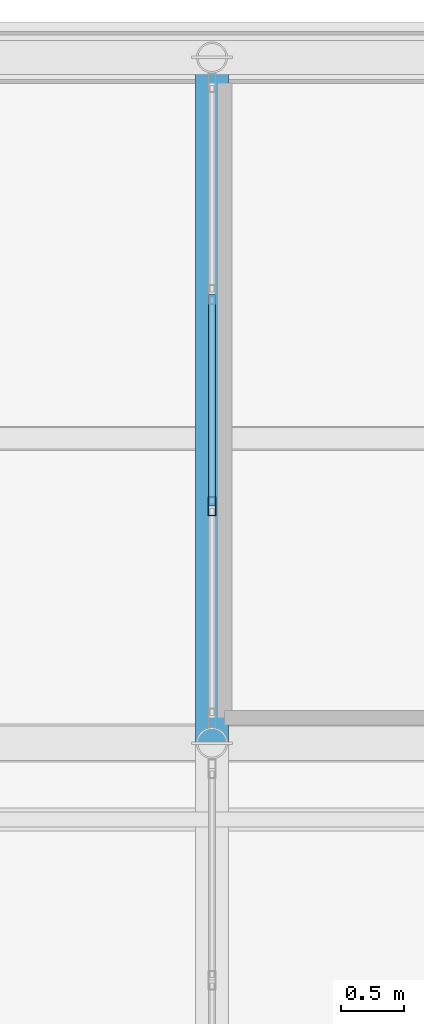
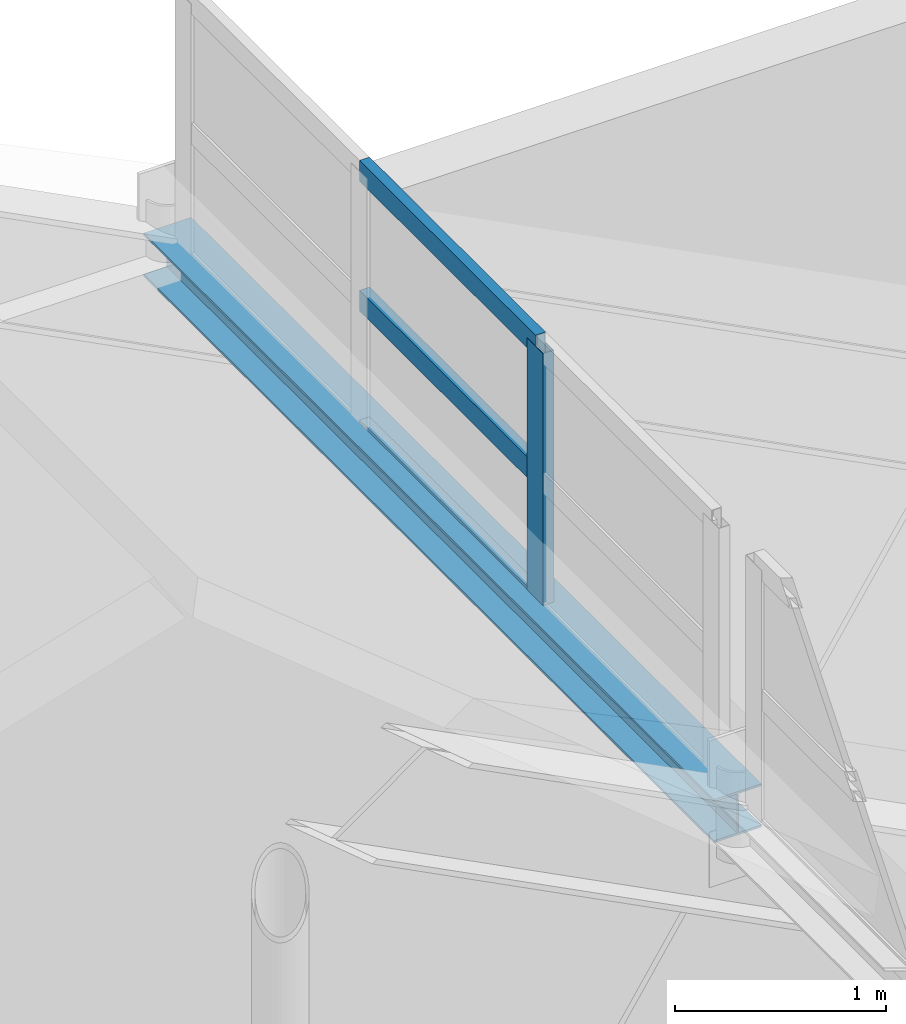
# One storey, part 61 of 84: 4 members, 1 beam, 1 element without a shape of its own.
"""IFC4 building model written with IfcOpenShell, lengths in metres."""

import ifcopenshell
import ifcopenshell.guid

model = None  # the IFC model being written
_history = None  # IfcOwnerHistory: only IFC2X3 demands one
_inside = {}  # id of a spatial element -> (the spatial element, [elements in it])
_under = {}  # id of a project, library or spatial element -> (it, [spatial elements below it])
_declared = {}  # id of a project -> (the project, [libraries it declares])
_typed = {}  # id of a type object -> (the type object, [elements of that type])
_made_of = {}  # id of a material, layer set ... -> (it, [elements and type objects made of it])


def new_model(schema):
    """Start an empty IFC model of exactly this schema.

    Asked for "IFC4X3", IfcOpenShell would pick the latest addendum, in which some entities
    have other attributes; the version numbers below select the first issue.
    IFC2X3 requires an IfcOwnerHistory on every rooted entity: one is made here for all.
    """
    global model, _history
    if schema == "IFC4X3":
        model = ifcopenshell.file(schema_version=(4, 3, 0, 0))
    else:
        model = ifcopenshell.file(schema=schema)
    _inside.clear()
    _under.clear()
    _declared.clear()
    _typed.clear()
    _made_of.clear()
    _history = None
    if model.schema == "IFC2X3":
        org = make("IfcOrganization", Name="unknown")
        user = make(
            "IfcPersonAndOrganization",
            ThePerson=make("IfcPerson", FamilyName="unknown"),
            TheOrganization=org,
        )
        app = make(
            "IfcApplication",
            ApplicationDeveloper=org,
            Version="unknown",
            ApplicationFullName="unknown",
            ApplicationIdentifier="unknown",
        )
        _history = make(
            "IfcOwnerHistory",
            OwningUser=user,
            OwningApplication=app,
            ChangeAction="ADDED",
            CreationDate=0,
        )
    return model


def make(cls, **values):
    """One entity of the class cls with the attributes given. An attribute that is None is left unset."""
    return model.create_entity(
        cls, **{name: value for name, value in values.items() if value is not None}
    )


def rooted(cls, **values):
    """An entity with a GlobalId (a new one), such as an element, a storey or a relation."""
    return make(cls, GlobalId=ifcopenshell.guid.new(), OwnerHistory=_history, **values)


def si_unit(unit_type, name, prefix=None):
    """IfcSIUnit, for example si_unit("LENGTHUNIT", "METRE", prefix="MILLI")."""
    return make("IfcSIUnit", UnitType=unit_type, Prefix=prefix, Name=name)


def assignment(units):
    """IfcUnitAssignment: the units of a project."""
    return None if units is None else make("IfcUnitAssignment", Units=units)


def point(xyz):
    """IfcCartesianPoint."""
    return None if xyz is None else make("IfcCartesianPoint", Coordinates=xyz)


def direction(xyz):
    """IfcDirection."""
    return None if xyz is None else make("IfcDirection", DirectionRatios=xyz)


def frame(location, z_axis=None, x_axis=None):
    """IfcAxis2Placement3D, a coordinate frame: its origin and axes. An axis left out is left unset."""
    return make(
        "IfcAxis2Placement3D",
        Location=point(location),
        Axis=direction(z_axis),
        RefDirection=direction(x_axis),
    )


def frame_2d(location, x_axis=None):
    """IfcAxis2Placement2D, a coordinate frame in the plane: its origin and x axis."""
    return make(
        "IfcAxis2Placement2D", Location=point(location), RefDirection=direction(x_axis)
    )


def origin():
    """The frame at (0, 0, 0) with its axes left unset."""
    return frame((0.0, 0.0, 0.0))


def origin_2d():
    """The frame at (0, 0) in the plane with its x axis left unset."""
    return frame_2d((0.0, 0.0))


def place(relative_to, where):
    """IfcLocalPlacement: puts the frame where relative to a parent placement (None: the world)."""
    return make(
        "IfcLocalPlacement", PlacementRelTo=relative_to, RelativePlacement=where
    )


def context(
    kind, dimensions, precision=None, world=None, true_north=None, identifier=None
):
    """IfcGeometricRepresentationContext, for example the 3D "Model" context."""
    return make(
        "IfcGeometricRepresentationContext",
        ContextIdentifier=identifier,
        ContextType=kind,
        CoordinateSpaceDimension=dimensions,
        Precision=precision,
        WorldCoordinateSystem=world,
        TrueNorth=true_north,
    )


def subcontext(parent, identifier, kind, view, scale=None):
    """IfcGeometricRepresentationSubContext, for example "Body" below "Model"."""
    return make(
        "IfcGeometricRepresentationSubContext",
        ContextIdentifier=identifier,
        ContextType=kind,
        ParentContext=parent,
        TargetScale=scale,
        TargetView=view,
    )


def project(units=None, contexts=None):
    """IfcProject with its units and contexts."""
    return rooted(
        "IfcProject",
        Name="project",
        RepresentationContexts=contexts,
        UnitsInContext=assignment(units),
    )


def spatial(cls, under=None, at=None, **own):
    """A site, building, storey or space (cls), placed at a placement, below another one or the project."""
    s = rooted(cls, ObjectPlacement=at, **own)
    if under is not None:
        _under.setdefault(under.id(), (under, []))[1].append(s)
    return s


def profile(cls, at=None, kind="AREA", **sizes):
    """A parametric profile (cls). Its sizes go by their IFC names, for example OverallWidth=200.0."""
    return make(cls, ProfileType=kind, Position=at, **sizes)


def hollow_rectangle(**sizes):
    """IfcRectangleHollowProfileDef."""
    return profile("IfcRectangleHollowProfileDef", **sizes)


def i_section(**sizes):
    """IfcIShapeProfileDef."""
    return profile("IfcIShapeProfileDef", **sizes)


def extrude(swept, where, along, depth):
    """IfcExtrudedAreaSolid: the profile swept, set in the frame where, extruded along a direction by depth."""
    return make(
        "IfcExtrudedAreaSolid",
        SweptArea=swept,
        Position=where,
        ExtrudedDirection=direction(along),
        Depth=depth,
    )


def shape(context_of_items, identifier, shape_type, items):
    """IfcShapeRepresentation: the items that make up one representation, for example the "Body"."""
    return make(
        "IfcShapeRepresentation",
        ContextOfItems=context_of_items,
        RepresentationIdentifier=identifier,
        RepresentationType=shape_type,
        Items=items,
    )


def material(Name=None, Category=None):
    """IfcMaterial."""
    return make("IfcMaterial", Name=Name, Category=Category)


def layer(
    of_material, thickness, ventilated=None, Name=None, Category=None, Priority=None
):
    """IfcMaterialLayer: one layer of a wall or slab, of a material (None: an air gap)."""
    return make(
        "IfcMaterialLayer",
        Material=of_material,
        LayerThickness=thickness,
        IsVentilated=ventilated,
        Name=Name,
        Category=Category,
        Priority=Priority,
    )


def layer_set(layers, Name=None):
    """IfcMaterialLayerSet."""
    return make("IfcMaterialLayerSet", MaterialLayers=layers, LayerSetName=Name)


def material_profile(
    of_material, cross_section, Name=None, Category=None, Priority=None
):
    """IfcMaterialProfile: a cross section and its material."""
    return make(
        "IfcMaterialProfile",
        Name=Name,
        Material=of_material,
        Profile=cross_section,
        Priority=Priority,
        Category=Category,
    )


def profile_set(profiles, Name=None, composite=None):
    """IfcMaterialProfileSet."""
    return make(
        "IfcMaterialProfileSet",
        Name=Name,
        MaterialProfiles=profiles,
        CompositeProfile=composite,
    )


def made_of(thing, what):
    """Note that an element or type object is made of a material, layer set ...; save() writes the relation."""
    if what is not None:
        _made_of.setdefault(what.id(), (what, []))[1].append(thing)
    return thing


def type_object(cls, material=None, **own):
    """A type object (cls), such as IfcWallType, which elements share."""
    return made_of(rooted(cls, **own), material)


def element(
    cls,
    number,
    at=None,
    inside=None,
    cuts=None,
    type_object=None,
    material=None,
    context=None,
    identifier="Body",
    shape_type=None,
    held_by="IfcProductDefinitionShape",
    body=None,
    shapes=None,
    **own,
):
    """One element of the class cls, such as IfcWall. Its Tag is "e" and its number.

    at: its placement. inside: the storey or other place that contains it. cuts: it is an
    opening in that element (IfcRelVoidsElement). A single representation is given by context,
    identifier, shape_type and body (its items); several are given by shapes. held_by: the class
    of the entity that holds the representations. save() writes the other relations.
    """
    e = rooted(cls, Tag="e%d" % number, ObjectPlacement=at, **own)
    if body is not None:
        shapes = [shape(context, identifier, shape_type, body)]
    if shapes is not None:
        e.Representation = make(held_by, Representations=shapes)
    if inside is not None:
        _inside.setdefault(inside.id(), (inside, []))[1].append(e)
    if cuts is not None:
        rooted(
            "IfcRelVoidsElement", RelatingBuildingElement=cuts, RelatedOpeningElement=e
        )
    if type_object is not None:
        _typed.setdefault(type_object.id(), (type_object, []))[1].append(e)
    return made_of(e, material)


def aggregate(whole, parts):
    """IfcRelAggregates: a whole, such as a stair, and the parts it consists of."""
    return rooted("IfcRelAggregates", RelatingObject=whole, RelatedObjects=parts)


def save(model, path):
    """Write the relations noted so far, then the file.

    IfcRelAggregates (storeys below a building ...), IfcRelContainedInSpatialStructure (elements
    in a storey), IfcRelDefinesByType, IfcRelAssociatesMaterial and IfcRelDeclares: one each for
    every whole, place, type object, material and project.
    """
    for whole, parts in _under.values():
        aggregate(whole, parts)
    for where, things in _inside.values():
        rooted(
            "IfcRelContainedInSpatialStructure",
            RelatedElements=things,
            RelatingStructure=where,
        )
    for kind, things in _typed.values():
        rooted("IfcRelDefinesByType", RelatedObjects=things, RelatingType=kind)
    for what, things in _made_of.values():
        rooted("IfcRelAssociatesMaterial", RelatedObjects=things, RelatingMaterial=what)
    for by, libraries in _declared.values():
        rooted("IfcRelDeclares", RelatingContext=by, RelatedDefinitions=libraries)
    model.write(path)


model = new_model("IFC4")

# Units and contexts
model_context = context("Model", 3, precision=1e-05, world=origin(), true_north=direction((0.0, 1.0)))
body_context = subcontext(model_context, "Body", "Model", "MODEL_VIEW")
ifc_project = project(units=[si_unit("LENGTHUNIT", "METRE"), si_unit("AREAUNIT", "SQUARE_METRE"), si_unit("VOLUMEUNIT", "CUBIC_METRE"), si_unit("PLANEANGLEUNIT", "RADIAN"), si_unit("MASSUNIT", "GRAM", prefix="KILO")], contexts=[model_context])

# Site, building, storey
site_placement = place(None, origin())
site = spatial("IfcSite", under=ifc_project, at=site_placement, CompositionType="ELEMENT")
building_placement = place(site_placement, origin())
building = spatial("IfcBuilding", under=site, at=building_placement, Name="Sundgate Opera House", CompositionType="ELEMENT")
storey_placement = place(building_placement, frame((0.0, 0.0, 30.60009765625)))
storey = spatial("IfcBuildingStorey", under=building, at=storey_placement, Name="L06", CompositionType="ELEMENT", Elevation=30.60009765625)

# Beam
ifc_material_1 = material(Name="Steel S355J2", Category="steel")
ifc_material_profile_1 = material_profile(ifc_material_1, i_section(OverallWidth=0.260009765625, OverallDepth=0.25, WebThickness=0.007568359375, FlangeThickness=0.012451171875, at=origin_2d()), Name="HEA 260")
ifc_profile_set_1 = profile_set([ifc_material_profile_1], Name="Steel S355J2")
beam_type = type_object("IfcBeamType", Name="BM-LN-HEA260", PredefinedType="LINTEL", material=ifc_profile_set_1)
beam_placement = place(storey_placement, frame((56.5, 81.60009765625, 16.119873046875), z_axis=(0.0, 1.0, 0.0), x_axis=(-1.0, 0.0, 0.0)))
element("IfcBeam", 1, at=beam_placement, inside=storey, type_object=beam_type, Name="L06 Crown Clerestory Curb Beam BS041", PredefinedType="LINTEL", context=body_context, shape_type="SweptSolid", body=[
    extrude(i_section(OverallWidth=0.260009765625, OverallDepth=0.25, WebThickness=0.007568359375, FlangeThickness=0.012451171875, at=origin_2d()), origin(), (0.0, 0.0, 1.0), 5.39990234375),
])

# Curtain wall, members
ifc_material_2 = material(Name="Anodized aluminium and low-iron glass", Category="aluminium")
ifc_layer = layer(ifc_material_2, 0.169921875)
ifc_layer_set = layer_set([ifc_layer], Name="Anodized aluminium and low-iron glass")
curtain_wall_type = type_object("IfcCurtainWallType", Name="CW-LANTERN-POLY", PredefinedType="NOTDEFINED", material=ifc_layer_set)
curtain_wall_placement = place(storey_placement, origin())
curtain_wall = element("IfcCurtainWall", 2, at=curtain_wall_placement, inside=storey, type_object=curtain_wall_type, Name="L06 Curtain Wall CW188", PredefinedType="NOTDEFINED")
ifc_material_3 = material(Name="Anodized aluminium EN AW-6063", Category="aluminium")
ifc_material_profile_2 = material_profile(ifc_material_3, hollow_rectangle(XDim=0.06005859375, YDim=0.14990234375, WallThickness=0.00390625, at=origin_2d()), Name="CWM 150x60x4")
ifc_profile_set_2 = profile_set([ifc_material_profile_2], Name="Anodized aluminium EN AW-6063")
member_type_1 = type_object("IfcMemberType", Name="CWM-ALU-150x60", PredefinedType="MULLION", material=ifc_profile_set_2)
member_1_placement = place(storey_placement, frame((56.5, 83.466552734375, 16.199951171875), z_axis=(0.0, 0.0, 1.0), x_axis=(1.0, 0.0, 0.0)))
member_1 = element("IfcMember", 3, at=member_1_placement, type_object=member_type_1, Name="CW188 Mullion 2", PredefinedType="MULLION", context=body_context, shape_type="SweptSolid", body=[
    extrude(hollow_rectangle(XDim=0.06005859375, YDim=0.14990234375, WallThickness=0.00390625, at=origin_2d()), origin(), (0.0, 0.0, 1.0), 1.5),
])
ifc_material_4 = material(Name="Anodized aluminium EN AW-6063", Category="aluminium")
ifc_material_profile_3 = material_profile(ifc_material_4, hollow_rectangle(XDim=0.054931640625, YDim=0.1201171875, WallThickness=0.00390625, at=origin_2d()), Name="CWT 120x55x4")
ifc_profile_set_3 = profile_set([ifc_material_profile_3], Name="Anodized aluminium EN AW-6063")
member_type_2 = type_object("IfcMemberType", Name="CWT-ALU-120x55", PredefinedType="USERDEFINED", material=ifc_profile_set_3)
member_2_placement = place(storey_placement, frame((56.5, 83.466552734375, 16.199951171875), z_axis=(0.0, 1.0, 0.0), x_axis=(-1.0, 0.0, 0.0)))
member_2 = element("IfcMember", 4, at=member_2_placement, type_object=member_type_2, Name="CW188 Transom 4", ObjectType="TRANSOM", PredefinedType="USERDEFINED", context=body_context, shape_type="SweptSolid", body=[
    extrude(hollow_rectangle(XDim=0.054931640625, YDim=0.1201171875, WallThickness=0.00390625, at=origin_2d()), origin(), (0.0, 0.0, 1.0), 1.666748046875),
])
member_3_placement = place(storey_placement, frame((56.5, 83.466552734375, 16.949951171875), z_axis=(0.0, 1.0, 0.0), x_axis=(-1.0, 0.0, 0.0)))
member_3 = element("IfcMember", 5, at=member_3_placement, type_object=member_type_2, Name="CW188 Transom 5", ObjectType="TRANSOM", PredefinedType="USERDEFINED", context=body_context, shape_type="SweptSolid", body=[
    extrude(hollow_rectangle(XDim=0.054931640625, YDim=0.1201171875, WallThickness=0.00390625, at=origin_2d()), origin(), (0.0, 0.0, 1.0), 1.666748046875),
])
member_4_placement = place(storey_placement, frame((56.5, 83.466552734375, 17.699951171875), z_axis=(0.0, 1.0, 0.0), x_axis=(-1.0, 0.0, 0.0)))
member_4 = element("IfcMember", 6, at=member_4_placement, type_object=member_type_2, Name="CW188 Transom 6", ObjectType="TRANSOM", PredefinedType="USERDEFINED", context=body_context, shape_type="SweptSolid", body=[
    extrude(hollow_rectangle(XDim=0.054931640625, YDim=0.1201171875, WallThickness=0.00390625, at=origin_2d()), origin(), (0.0, 0.0, 1.0), 1.666748046875),
])
aggregate(curtain_wall, [member_1, member_2, member_3, member_4])

save(model, "model.ifc")
